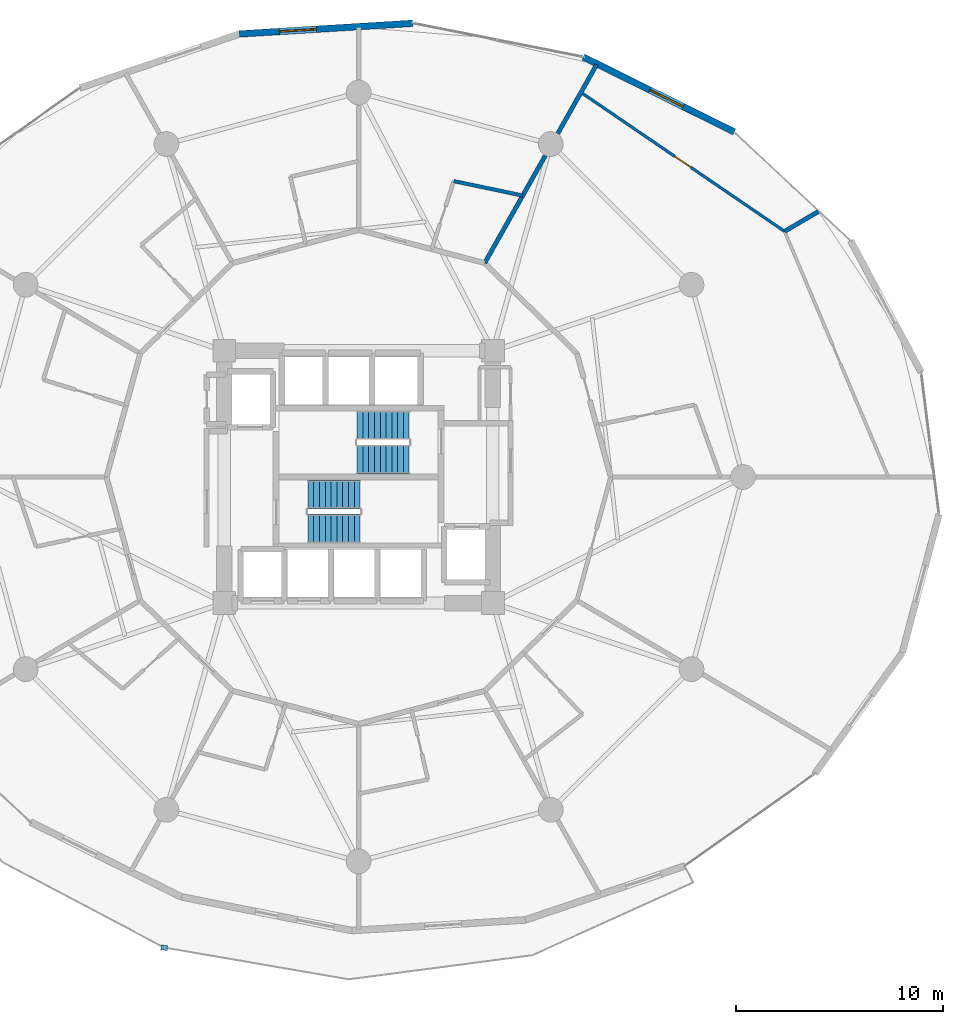
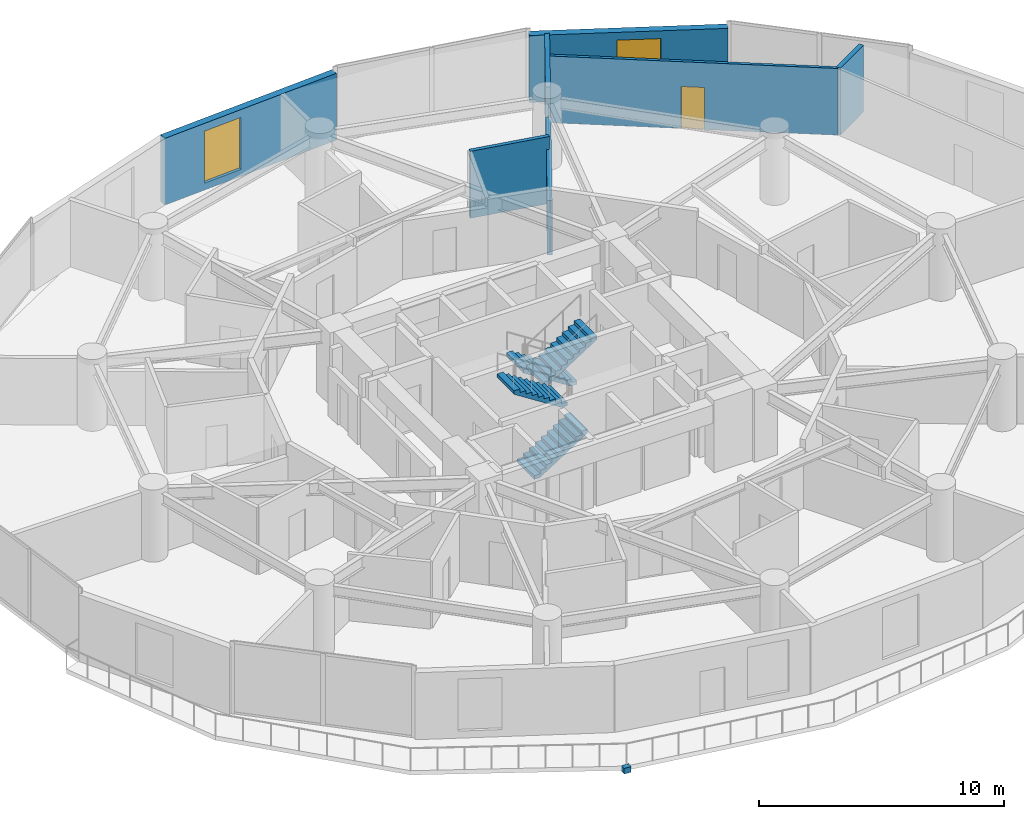
# One storey, part 23 of 26: 7 walls, 4 stair flights, 2 windows, 1 discrete accessory, 1 door, 3 openings, 2 elements without a shape of their own.
"""IFC4 building model written with IfcOpenShell, lengths in metres."""

from ifc_helpers import new_model, si_unit, direction, frame, frame_2d, origin, origin_2d, place, context, subcontext, project, spatial, polyline, rectangle, outline, extrude, material, layer, layer_set, type_object, element, fill, aggregate, save


model = new_model("IFC4")

# Units and contexts
model_context = context("Model", 3, precision=1e-05, world=origin(), true_north=direction((0.0, 1.0)))
body_context = subcontext(model_context, "Body", "Model", "MODEL_VIEW")
ifc_project = project(units=[si_unit("LENGTHUNIT", "METRE"), si_unit("AREAUNIT", "SQUARE_METRE"), si_unit("VOLUMEUNIT", "CUBIC_METRE"), si_unit("PLANEANGLEUNIT", "RADIAN"), si_unit("MASSUNIT", "GRAM", prefix="KILO")], contexts=[model_context])

# Site, building, storey
site_placement = place(None, origin())
site = spatial("IfcSite", under=ifc_project, at=site_placement, CompositionType="ELEMENT")
building_placement = place(site_placement, origin())
building = spatial("IfcBuilding", under=site, at=building_placement, Name="Solvirekh Grand Hotel", CompositionType="ELEMENT")
storey_placement = place(building_placement, frame((0.0, 0.0, 32.0)))
storey = spatial("IfcBuildingStorey", under=building, at=storey_placement, Name="L06", CompositionType="ELEMENT", Elevation=32.0)

# Wall, opening, window
ifc_material_1 = material(Name="Precast concrete C45/55", Category="concrete")
ifc_layer_1 = layer(ifc_material_1, 0.320068359375)
ifc_layer_set_1 = layer_set([ifc_layer_1], Name="Precast concrete C45/55")
wall_type_1 = type_object("IfcWallType", Name="ExtLobbyWall_RC320", PredefinedType="SOLIDWALL", material=ifc_layer_set_1)
wall_1_placement = place(storey_placement, frame((10.8759765625, 20.318115234375, 0.0), z_axis=(0.0, 0.0, 1.0), x_axis=(0.895818759339, -0.444419565743, 0.0)))
wall_1 = element("IfcWall", 1, at=wall_1_placement, inside=storey, type_object=wall_type_1, Name="L06 exterior structural wall chord 4", PredefinedType="SOLIDWALL", context=body_context, shape_type="SweptSolid", body=[
    extrude(rectangle(XDim=8.150146484375, YDim=0.320068359375, at=frame_2d((4.0751953125, 0.0))), origin(), (0.0, 0.0, 1.0), 3.340087890625),
])
opening_1_placement = place(wall_1_placement, frame((3.593994140625, 0.0, 0.35009765625)))
opening_1 = element("IfcOpeningElement", 2, at=opening_1_placement, cuts=wall_1, Name="Opening W02", PredefinedType="OPENING", context=body_context, shape_type="SweptSolid", body=[
    extrude(rectangle(XDim=1.800048828125, YDim=2.60009765625, at=frame_2d((0.89990234375, 1.300048828125))), frame((0.0, 0.169921875, 0.0), z_axis=(0.0, -1.0, 0.0), x_axis=(1.0, 0.0, 0.0)), (0.0, 0.0, 1.0), 0.340087890625),
])
ifc_material_2 = material(Name="Low-E Tinted Bronze Laminated Glass", Category="aluminium")
window_type = type_object("IfcWindowType", Name="Win_LobbyExt_1800X2600", PartitioningType="SINGLE_PANEL", PredefinedType="WINDOW", material=ifc_material_2)
window_1_placement = place(opening_1_placement, origin())
window_1 = element("IfcWindow", 3, at=window_1_placement, inside=storey, type_object=window_type, Name="L06 panoramic bronze-framed window 4", OverallHeight=2.60009765625, OverallWidth=1.800048828125, PartitioningType="SINGLE_PANEL", PredefinedType="WINDOW", context=body_context, shape_type="SweptSolid", body=[
    extrude(rectangle(XDim=1.800048828125, YDim=2.60009765625, at=frame_2d((0.89990234375, 1.300048828125))), frame((0.0, 0.030029296875, 0.0), z_axis=(0.0, -1.0, 0.0), x_axis=(1.0, 0.0, 0.0)), (0.0, 0.0, 1.0), 0.06005859375),
])
fill(opening_1, window_1)

wall_2_placement = place(storey_placement, frame((-5.77294921875, 21.43505859375, 0.0), z_axis=(0.0, 0.0, 1.0), x_axis=(0.998117750792, 0.06132663005, 0.0)))
wall_2 = element("IfcWall", 4, at=wall_2_placement, inside=storey, type_object=wall_type_1, Name="L06 exterior structural wall chord 6", PredefinedType="SOLIDWALL", context=body_context, shape_type="SweptSolid", body=[
    extrude(rectangle(XDim=8.411865234375, YDim=0.320068359375, at=frame_2d((4.2060546875, 0.0))), origin(), (0.0, 0.0, 1.0), 3.340087890625),
])
opening_2_placement = place(wall_2_placement, frame((1.94091796875, 0.0, 0.35009765625)))
opening_2 = element("IfcOpeningElement", 5, at=opening_2_placement, cuts=wall_2, Name="Opening W02", PredefinedType="OPENING", context=body_context, shape_type="SweptSolid", body=[
    extrude(rectangle(XDim=1.800048828125, YDim=2.60009765625, at=frame_2d((0.89990234375, 1.300048828125))), frame((0.0, 0.169921875, 0.0), z_axis=(0.0, -1.0, 0.0), x_axis=(1.0, 0.0, 0.0)), (0.0, 0.0, 1.0), 0.340087890625),
])
window_2_placement = place(opening_2_placement, origin())
window_2 = element("IfcWindow", 6, at=window_2_placement, inside=storey, type_object=window_type, Name="L06 panoramic bronze-framed window 6", OverallHeight=2.60009765625, OverallWidth=1.800048828125, PartitioningType="SINGLE_PANEL", PredefinedType="WINDOW", context=body_context, shape_type="SweptSolid", body=[
    extrude(rectangle(XDim=1.800048828125, YDim=2.60009765625, at=frame_2d((0.89990234375, 1.300048828125))), frame((0.0, 0.030029296875, 0.0), z_axis=(0.0, -1.0, 0.0), x_axis=(1.0, 0.0, 0.0)), (0.0, 0.0, 1.0), 0.06005859375),
])
fill(opening_2, window_2)

# Wall, opening, door
ifc_material_3 = material(Name="Acoustic Gypsum Partition Assembly")
ifc_layer_2 = layer(ifc_material_3, 0.135009765625)
ifc_layer_set_2 = layer_set([ifc_layer_2], Name="Acoustic Gypsum Partition Assembly")
wall_type_2 = type_object("IfcWallType", Name="Part_RoomInt_135", PredefinedType="PARTITIONING", material=ifc_layer_set_2)
wall_3_placement = place(storey_placement, frame((20.613037109375, 11.883056640625, 0.0), z_axis=(0.0, 0.0, 1.0), x_axis=(-0.825894658533, 0.563824452295, 0.0)))
wall_3 = element("IfcWall", 7, at=wall_3_placement, inside=storey, type_object=wall_type_2, Name="L06 Executive Suite 0801 Panorama Suite Study bedroom screen wall", PredefinedType="PARTITIONING", context=body_context, shape_type="SweptSolid", body=[
    extrude(rectangle(XDim=11.928955078125, YDim=0.135009765625, at=frame_2d((5.96435546875, 0.0))), origin(), (0.0, 0.0, 1.0), 3.340087890625),
])
opening_3_placement = place(wall_3_placement, frame((5.489013671875, 0.0, 0.0)))
opening_3 = element("IfcOpeningElement", 8, at=opening_3_placement, cuts=wall_3, Name="Opening D10", PredefinedType="OPENING", context=body_context, shape_type="SweptSolid", body=[
    extrude(rectangle(XDim=0.949951171875, YDim=2.10009765625, at=frame_2d((0.47509765625, 1.050048828125))), frame((0.0, 0.07763671875, 0.0), z_axis=(0.0, -1.0, 0.0), x_axis=(1.0, 0.0, 0.0)), (0.0, 0.0, 1.0), 0.155029296875),
])
ifc_material_4 = material(Name="Anodized Bronze Aluminium 6063-T6", Category="aluminium")
door_type = type_object("IfcDoorType", Name="Door_RoomInt_950X2100", OperationType="NOTDEFINED", PredefinedType="DOOR", material=ifc_material_4)
door_placement = place(opening_3_placement, origin())
door = element("IfcDoor", 9, at=door_placement, inside=storey, type_object=door_type, Name="L06 Executive Suite 0801 Panorama Suite Study master bedroom door", OperationType="SINGLE_SWING_RIGHT", OverallHeight=2.10009765625, OverallWidth=0.949951171875, PredefinedType="DOOR", context=body_context, shape_type="SweptSolid", body=[
    extrude(rectangle(XDim=0.949951171875, YDim=2.10009765625, at=frame_2d((0.47509765625, 1.050048828125))), frame((0.0, 0.02490234375, 0.0), z_axis=(0.0, -1.0, 0.0), x_axis=(1.0, 0.0, 0.0)), (0.0, 0.0, 1.0), 0.050048828125),
])
fill(opening_3, door)

# Walls
ifc_layer_3 = layer(ifc_material_3, 0.2099609375)
ifc_layer_set_3 = layer_set([ifc_layer_3], Name="Acoustic Gypsum Partition Assembly")
wall_type_3 = type_object("IfcWallType", Name="Part_SuiteDemise_210", PredefinedType="PARTITIONING", material=ifc_layer_set_3)
wall_4_placement = place(storey_placement, frame((6.10009765625, 10.34912109375, 0.0), z_axis=(0.0, 0.0, 1.0), x_axis=(0.491458802648, 0.870900824032, 0.0)))
element("IfcWall", 10, at=wall_4_placement, inside=storey, type_object=wall_type_3, Name="L06 suite radial wall 3 (A)", PredefinedType="PARTITIONING", context=body_context, shape_type="SweptSolid", body=[
    extrude(rectangle(XDim=5.9697265625, YDim=0.2099609375, at=frame_2d((2.98486328125, 0.0))), origin(), (0.0, 0.0, 1.0), 2.708984375),
])
wall_5_placement = place(storey_placement, frame((9.64208984375, 16.625, 0.0), z_axis=(0.0, 0.0, 1.0), x_axis=(0.491316217202, 0.870981271161, 0.0)))
element("IfcWall", 11, at=wall_5_placement, inside=storey, type_object=wall_type_3, Name="L06 suite radial wall 3 (B)", PredefinedType="PARTITIONING", context=body_context, shape_type="SweptSolid", body=[
    extrude(rectangle(XDim=3.822265625, YDim=0.2099609375, at=frame_2d((1.9111328125, 0.0))), origin(), (0.0, 0.0, 1.0), 3.340087890625),
])
wall_6_placement = place(storey_placement, frame((20.613037109375, 11.883056640625, 0.0), z_axis=(0.0, 0.0, 1.0), x_axis=(0.861901128596, 0.507076369519, 0.0)))
element("IfcWall", 12, at=wall_6_placement, inside=storey, type_object=wall_type_3, Name="L06 Executive Suite 0801 Living Room dividing partition 1", PredefinedType="PARTITIONING", context=body_context, shape_type="SweptSolid", body=[
    extrude(rectangle(XDim=1.89697265625, YDim=0.2099609375, at=frame_2d((0.948486328125, 0.0))), origin(), (0.0, 0.0, 1.0), 3.340087890625),
])
ifc_layer_4 = layer(ifc_material_3, 0.175048828125)
ifc_layer_set_4 = layer_set([ifc_layer_4], Name="Acoustic Gypsum Partition Assembly")
wall_type_4 = type_object("IfcWallType", Name="Plumb_Ensuite_175", PredefinedType="PLUMBINGWALL", material=ifc_layer_set_4)
wall_7_placement = place(storey_placement, frame((7.943115234375, 13.614990234375, 0.0), z_axis=(0.0, 0.0, 1.0), x_axis=(-0.978691652986, 0.205335453283, 0.0)))
element("IfcWall", 13, at=wall_7_placement, inside=storey, type_object=wall_type_4, Name="L06 En-suite Bathroom 0802 outer plumbing wall", PredefinedType="PLUMBINGWALL", context=body_context, shape_type="SweptSolid", body=[
    extrude(rectangle(XDim=3.408935546875, YDim=0.175048828125, at=frame_2d((1.70458984375, 0.0))), origin(), (0.0, 0.0, 1.0), 3.340087890625),
])

# Stair, stair flights
ifc_material_5 = material(Name="Concrete C40/50", Category="concrete")
stair_type = type_object("IfcStairType", Name="Stair_Core_1450", PredefinedType="HALF_TURN_STAIR", material=ifc_material_5)
stair_1_placement = place(storey_placement, origin())
stair_1 = element("IfcStair", 14, at=stair_1_placement, inside=storey, type_object=stair_type, Name="L06 Enclosed exit stair ST-1", PredefinedType="HALF_TURN_STAIR")
stair_flight_type = type_object("IfcStairFlightType", Name="Flight_Core_1450", PredefinedType="STRAIGHT", material=ifc_material_5)
stair_flight_1_placement = place(storey_placement, frame((-2.449951171875, -2.5, 0.0), z_axis=(0.0, 0.0, 1.0), x_axis=(1.0, 0.0, 0.0)))
stair_flight_1 = element("IfcStairFlight", 15, at=stair_flight_1_placement, type_object=stair_flight_type, Name="ST-1 flight 1", NumberOfRisers=10, NumberOfTreads=9, PredefinedType="STRAIGHT", RiserHeight=0.18, TreadLength=0.28, context=body_context, shape_type="SweptSolid", body=[
    extrude(outline(polyline([(0.0, 0.0), (0.0, 0.179931640625), (0.280029296875, 0.179931640625), (0.280029296875, 0.360107421875), (0.56005859375, 0.360107421875), (0.56005859375, 0.5400390625), (0.840087890625, 0.5400390625), (0.840087890625, 0.719970703125), (1.1201171875, 0.719970703125), (1.1201171875, 0.89990234375), (1.39990234375, 0.89990234375), (1.39990234375, 1.080078125), (1.679931640625, 1.080078125), (1.679931640625, 1.260009765625), (1.9599609375, 1.260009765625), (1.9599609375, 1.43994140625), (2.239990234375, 1.43994140625), (2.239990234375, 1.6201171875), (2.52001953125, 1.6201171875), (2.52001953125, 1.800048828125), (2.52001953125, 1.44189453125), (0.277099609375, 0.0), (0.0, 0.0)])), frame((0.0, 0.699951171875, 0.0), z_axis=(0.0, -1.0, 0.0), x_axis=(1.0, 0.0, 0.0)), (0.0, 0.0, 1.0), 1.39990234375),
])
stair_flight_2_placement = place(storey_placement, frame((0.070068359375, -0.85009765625, 1.800048828125), z_axis=(0.0, 0.0, 1.0), x_axis=(-1.0, 0.0, 0.0)))
stair_flight_2 = element("IfcStairFlight", 16, at=stair_flight_2_placement, type_object=stair_flight_type, Name="ST-1 flight 2", NumberOfRisers=10, NumberOfTreads=9, PredefinedType="STRAIGHT", RiserHeight=0.18, TreadLength=0.28, context=body_context, shape_type="SweptSolid", body=[
    extrude(outline(polyline([(0.0, 0.0), (0.0, 0.179931640625), (0.280029296875, 0.179931640625), (0.280029296875, 0.360107421875), (0.56005859375, 0.360107421875), (0.56005859375, 0.5400390625), (0.840087890625, 0.5400390625), (0.840087890625, 0.719970703125), (1.1201171875, 0.719970703125), (1.1201171875, 0.89990234375), (1.39990234375, 0.89990234375), (1.39990234375, 1.080078125), (1.679931640625, 1.080078125), (1.679931640625, 1.260009765625), (1.9599609375, 1.260009765625), (1.9599609375, 1.43994140625), (2.239990234375, 1.43994140625), (2.239990234375, 1.6201171875), (2.52001953125, 1.6201171875), (2.52001953125, 1.800048828125), (2.52001953125, 1.44189453125), (0.277099609375, 0.0), (0.0, 0.0)])), frame((0.0, 0.699951171875, 0.0), z_axis=(0.0, -1.0, 0.0), x_axis=(1.0, 0.0, 0.0)), (0.0, 0.0, 1.0), 1.39990234375),
])
aggregate(stair_1, [stair_flight_1, stair_flight_2])

stair_2_placement = place(storey_placement, origin())
stair_2 = element("IfcStair", 17, at=stair_2_placement, inside=storey, type_object=stair_type, Name="L06 Enclosed exit stair ST-2", PredefinedType="HALF_TURN_STAIR")
stair_flight_3_placement = place(storey_placement, frame((2.449951171875, 2.5, 0.0), z_axis=(0.0, 0.0, 1.0), x_axis=(-1.0, 0.0, 0.0)))
stair_flight_3 = element("IfcStairFlight", 18, at=stair_flight_3_placement, type_object=stair_flight_type, Name="ST-2 flight 1", NumberOfRisers=10, NumberOfTreads=9, PredefinedType="STRAIGHT", RiserHeight=0.18, TreadLength=0.28, context=body_context, shape_type="SweptSolid", body=[
    extrude(outline(polyline([(0.0, 0.0), (0.0, 0.179931640625), (0.280029296875, 0.179931640625), (0.280029296875, 0.360107421875), (0.56005859375, 0.360107421875), (0.56005859375, 0.5400390625), (0.840087890625, 0.5400390625), (0.840087890625, 0.719970703125), (1.1201171875, 0.719970703125), (1.1201171875, 0.89990234375), (1.39990234375, 0.89990234375), (1.39990234375, 1.080078125), (1.679931640625, 1.080078125), (1.679931640625, 1.260009765625), (1.9599609375, 1.260009765625), (1.9599609375, 1.43994140625), (2.239990234375, 1.43994140625), (2.239990234375, 1.6201171875), (2.52001953125, 1.6201171875), (2.52001953125, 1.800048828125), (2.52001953125, 1.44189453125), (0.277099609375, 0.0), (0.0, 0.0)])), frame((0.0, 0.699951171875, 0.0), z_axis=(0.0, -1.0, 0.0), x_axis=(1.0, 0.0, 0.0)), (0.0, 0.0, 1.0), 1.39990234375),
])
stair_flight_4_placement = place(storey_placement, frame((-0.070068359375, 0.85009765625, 1.800048828125), z_axis=(0.0, 0.0, 1.0), x_axis=(1.0, 0.0, 0.0)))
stair_flight_4 = element("IfcStairFlight", 19, at=stair_flight_4_placement, type_object=stair_flight_type, Name="ST-2 flight 2", NumberOfRisers=10, NumberOfTreads=9, PredefinedType="STRAIGHT", RiserHeight=0.18, TreadLength=0.28, context=body_context, shape_type="SweptSolid", body=[
    extrude(outline(polyline([(0.0, 0.0), (0.0, 0.179931640625), (0.280029296875, 0.179931640625), (0.280029296875, 0.360107421875), (0.56005859375, 0.360107421875), (0.56005859375, 0.5400390625), (0.840087890625, 0.5400390625), (0.840087890625, 0.719970703125), (1.1201171875, 0.719970703125), (1.1201171875, 0.89990234375), (1.39990234375, 0.89990234375), (1.39990234375, 1.080078125), (1.679931640625, 1.080078125), (1.679931640625, 1.260009765625), (1.9599609375, 1.260009765625), (1.9599609375, 1.43994140625), (2.239990234375, 1.43994140625), (2.239990234375, 1.6201171875), (2.52001953125, 1.6201171875), (2.52001953125, 1.800048828125), (2.52001953125, 1.44189453125), (0.277099609375, 0.0), (0.0, 0.0)])), frame((0.0, 0.699951171875, 0.0), z_axis=(0.0, -1.0, 0.0), x_axis=(1.0, 0.0, 0.0)), (0.0, 0.0, 1.0), 1.39990234375),
])
aggregate(stair_2, [stair_flight_3, stair_flight_4])

# Discrete accessory
ifc_material_6 = material(Name="Steel S355", Category="steel")
discrete_accessory_type = type_object("IfcDiscreteAccessoryType", Name="Acc_ThermalBracket", PredefinedType="BRACKET", material=ifc_material_6)
discrete_accessory_placement = place(storey_placement, frame((-9.407958984375, -22.781005859375, -0.27978515625), z_axis=(0.0, 0.0, 1.0), x_axis=(0.997801468292, -0.0662739004, 0.0)))
element("IfcDiscreteAccessory", 20, at=discrete_accessory_placement, inside=storey, type_object=discrete_accessory_type, Name="L06 balcony thermal-break bracket", PredefinedType="BRACKET", context=body_context, shape_type="SweptSolid", body=[
    extrude(rectangle(XDim=0.320068359375, YDim=0.239990234375, at=origin_2d()), origin(), (0.0, 0.0, 1.0), 0.280029296875),
])

save(model, "model.ifc")
